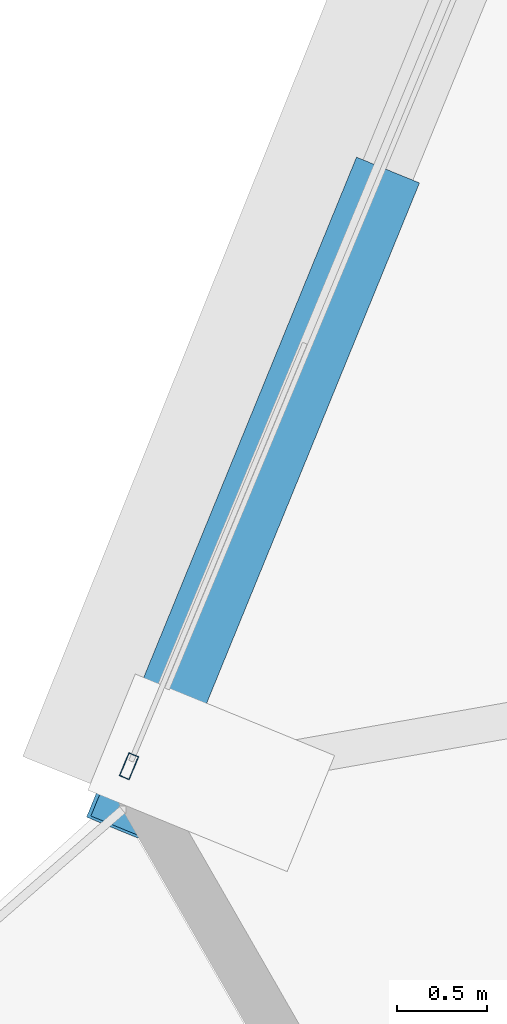
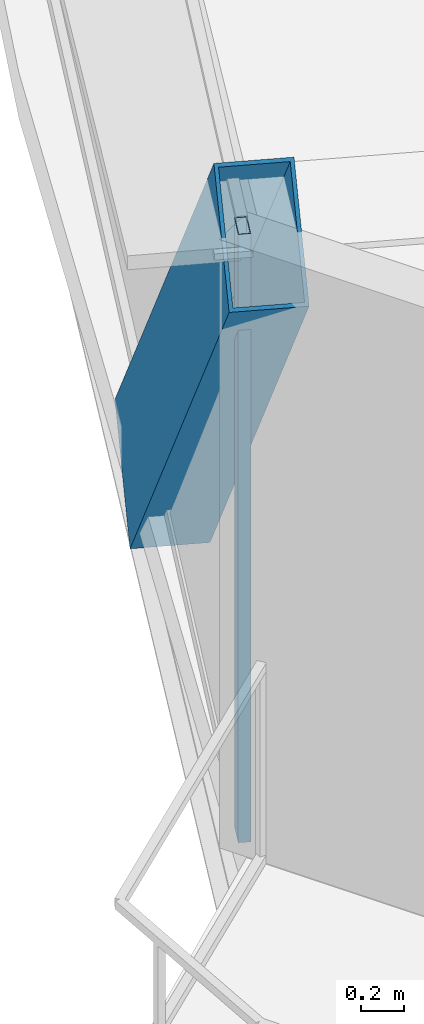
# One storey, part 4 of 34: 2 members, 1 element without a shape of its own.
"""IFC4 building model written with IfcOpenShell, lengths in metres."""

from ifc_helpers import new_model, si_unit, direction, frame, origin, origin_2d, place, context, subcontext, project, spatial, hollow_rectangle, extrude, source, transform, mapped, material, layer, layer_set, material_profile, profile_set, type_object, element, aggregate, save


model = new_model("IFC4")

# Units and contexts
model_context = context("Model", 3, precision=1e-05, world=origin(), true_north=direction((0.0, 1.0)))
body_context = subcontext(model_context, "Body", "Model", "MODEL_VIEW")
ifc_project = project(units=[si_unit("LENGTHUNIT", "METRE"), si_unit("AREAUNIT", "SQUARE_METRE"), si_unit("VOLUMEUNIT", "CUBIC_METRE"), si_unit("PLANEANGLEUNIT", "RADIAN"), si_unit("MASSUNIT", "GRAM", prefix="KILO"), si_unit("THERMODYNAMICTEMPERATUREUNIT", "KELVIN"), si_unit("POWERUNIT", "WATT")], contexts=[model_context])

# Site, building, storey
site_placement = place(None, origin())
site = spatial("IfcSite", under=ifc_project, at=site_placement, CompositionType="ELEMENT")
building_placement = place(site_placement, origin())
building = spatial("IfcBuilding", under=site, at=building_placement, Name="Yunzhuo Pagoda Commons", CompositionType="ELEMENT")
storey_placement = place(building_placement, frame((0.0, 0.0, 333.010009765625)))
storey = spatial("IfcBuildingStorey", under=building, at=storey_placement, Name="L83", CompositionType="ELEMENT", Elevation=333.010009765625)

# Member
ifc_material_1 = material(Name="Structural steel Q355B", Category="steel")
ifc_material_profile_1 = material_profile(ifc_material_1, hollow_rectangle(XDim=0.3798828125, YDim=0.719970703125, WallThickness=0.02001953125, at=origin_2d()), Name="Structural steel Q355B")
ifc_profile_set_1 = profile_set([ifc_material_profile_1], Name="Structural steel Q355B")
member_type_1 = type_object("IfcMemberType", Name="M-DL3 Brace BOX 720x380x20", PredefinedType="BRACE", material=ifc_profile_set_1)
shared_shape_1 = source(origin(), body_context, "Body", "SweptSolid", [
    extrude(hollow_rectangle(XDim=0.3798828125, YDim=0.719970703125, WallThickness=0.02001953125, at=origin_2d()), origin(), (0.0, 0.0, 1.0), 5.09619140625),
])
member_1_placement = place(storey_placement, frame((20.428955078125, 31.80224609375, -0.260009765625), z_axis=(-0.256346487536, -0.626757820302, 0.735840412737), x_axis=(0.925575126988, -0.378563976497, 0.0)))
element("IfcMember", 1, at=member_1_placement, inside=storey, type_object=member_type_1, Name="L83 facade diamond brace F3.3R", PredefinedType="BRACE", context=body_context, shape_type="MappedRepresentation", body=[
    mapped(shared_shape_1, transform((0.0, 0.0, 0.0), scale=1.0)),
])

# Curtain wall, member
ifc_material_2 = material(Name="Anodized aluminium 6063-T6", Category="aluminium")
ifc_layer = layer(ifc_material_2, 0.139892578125)
ifc_layer_set = layer_set([ifc_layer], Name="Anodized aluminium 6063-T6")
curtain_wall_type = type_object("IfcCurtainWallType", Name="CW-HI High-Zone Ribbon Curtain Wall", PredefinedType="NOTDEFINED", material=ifc_layer_set)
curtain_wall_placement = place(storey_placement, origin())
curtain_wall = element("IfcCurtainWall", 2, at=curtain_wall_placement, inside=storey, type_object=curtain_wall_type, Name="L83 curtain wall CW-L83-F3B4", PredefinedType="NOTDEFINED")
ifc_material_profile_2 = material_profile(ifc_material_2, hollow_rectangle(XDim=0.06005859375, YDim=0.139892578125, WallThickness=0.00341796875, at=origin_2d()), Name="Anodized aluminium 6063-T6")
ifc_profile_set_2 = profile_set([ifc_material_profile_2], Name="Anodized aluminium 6063-T6")
member_type_2 = type_object("IfcMemberType", Name="CW-HI-M Mullion RHS 140x60x3.5", PredefinedType="MULLION", material=ifc_profile_set_2)
shared_shape_2 = source(origin(), body_context, "Body", "SweptSolid", [
    extrude(hollow_rectangle(XDim=0.06005859375, YDim=0.139892578125, WallThickness=0.00341796875, at=origin_2d()), origin(), (0.0, 0.0, 1.0), 3.489990234375),
])
member_2_placement = place(storey_placement, frame((19.08349609375, 28.718994140625, 0.0), z_axis=(0.0, 0.0, 1.0), x_axis=(0.923407166951, -0.383821838909, 0.0)))
member_2 = element("IfcMember", 3, at=member_2_placement, type_object=member_type_2, Name="CW mullion 2", PredefinedType="MULLION", context=body_context, shape_type="MappedRepresentation", body=[
    mapped(shared_shape_2, transform((0.0, 0.0, 0.0), scale=1.0)),
])
aggregate(curtain_wall, [member_2])

save(model, "model.ifc")
